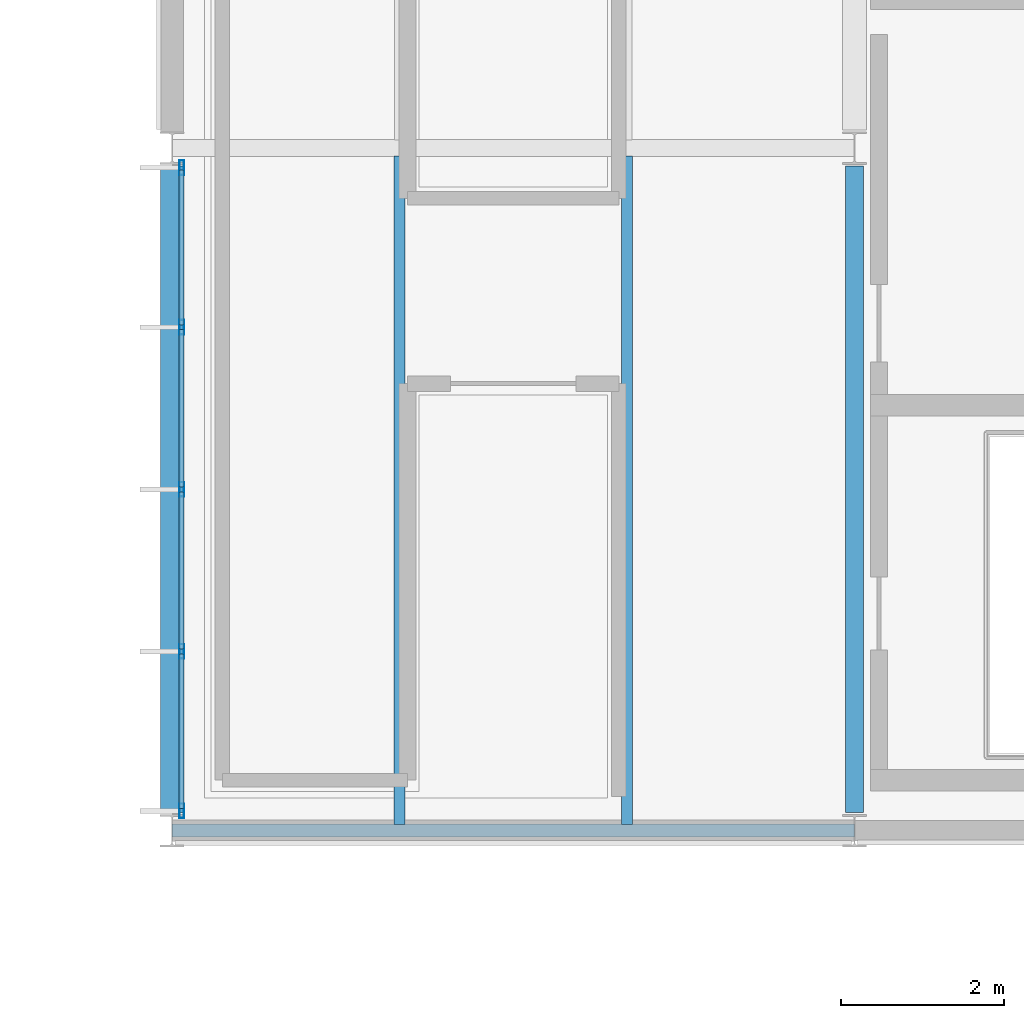
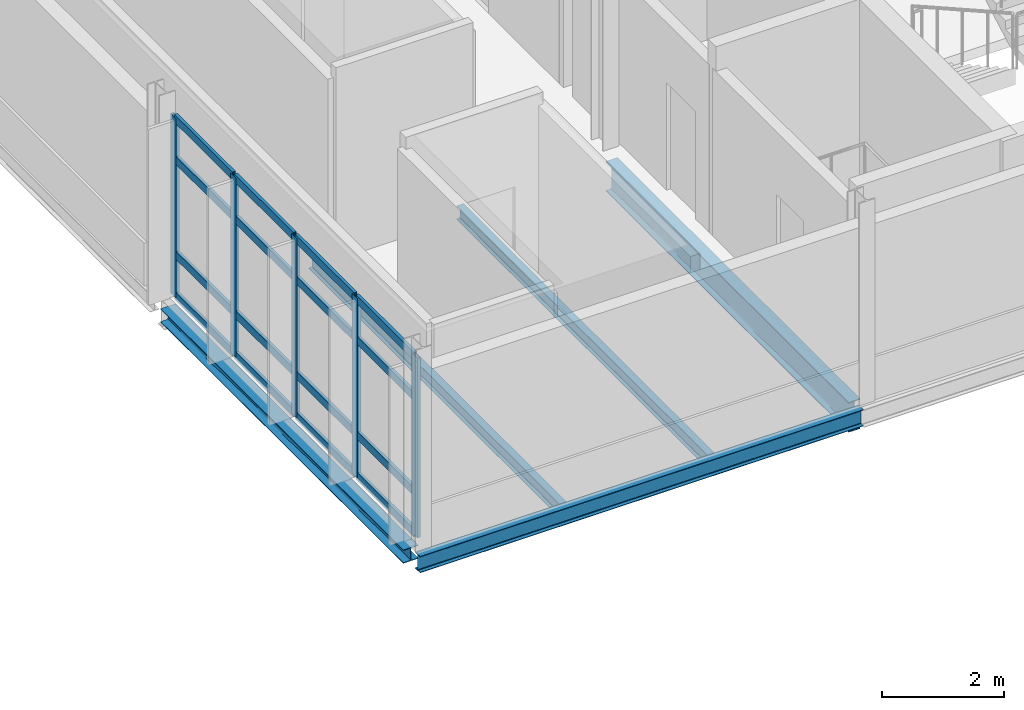
# One storey, part 83 of 131: 21 members, 5 beams, 1 element without a shape of its own.
"""IFC4 building model written with IfcOpenShell, lengths in metres."""

import ifcopenshell
import ifcopenshell.guid

model = None  # the IFC model being written
_history = None  # IfcOwnerHistory: only IFC2X3 demands one
_inside = {}  # id of a spatial element -> (the spatial element, [elements in it])
_under = {}  # id of a project, library or spatial element -> (it, [spatial elements below it])
_declared = {}  # id of a project -> (the project, [libraries it declares])
_typed = {}  # id of a type object -> (the type object, [elements of that type])
_made_of = {}  # id of a material, layer set ... -> (it, [elements and type objects made of it])


def new_model(schema):
    """Start an empty IFC model of exactly this schema.

    Asked for "IFC4X3", IfcOpenShell would pick the latest addendum, in which some entities
    have other attributes; the version numbers below select the first issue.
    IFC2X3 requires an IfcOwnerHistory on every rooted entity: one is made here for all.
    """
    global model, _history
    if schema == "IFC4X3":
        model = ifcopenshell.file(schema_version=(4, 3, 0, 0))
    else:
        model = ifcopenshell.file(schema=schema)
    _inside.clear()
    _under.clear()
    _declared.clear()
    _typed.clear()
    _made_of.clear()
    _history = None
    if model.schema == "IFC2X3":
        org = make("IfcOrganization", Name="unknown")
        user = make(
            "IfcPersonAndOrganization",
            ThePerson=make("IfcPerson", FamilyName="unknown"),
            TheOrganization=org,
        )
        app = make(
            "IfcApplication",
            ApplicationDeveloper=org,
            Version="unknown",
            ApplicationFullName="unknown",
            ApplicationIdentifier="unknown",
        )
        _history = make(
            "IfcOwnerHistory",
            OwningUser=user,
            OwningApplication=app,
            ChangeAction="ADDED",
            CreationDate=0,
        )
    return model


def make(cls, **values):
    """One entity of the class cls with the attributes given. An attribute that is None is left unset."""
    return model.create_entity(
        cls, **{name: value for name, value in values.items() if value is not None}
    )


def rooted(cls, **values):
    """An entity with a GlobalId (a new one), such as an element, a storey or a relation."""
    return make(cls, GlobalId=ifcopenshell.guid.new(), OwnerHistory=_history, **values)


def si_unit(unit_type, name, prefix=None):
    """IfcSIUnit, for example si_unit("LENGTHUNIT", "METRE", prefix="MILLI")."""
    return make("IfcSIUnit", UnitType=unit_type, Prefix=prefix, Name=name)


def assignment(units):
    """IfcUnitAssignment: the units of a project."""
    return None if units is None else make("IfcUnitAssignment", Units=units)


def point(xyz):
    """IfcCartesianPoint."""
    return None if xyz is None else make("IfcCartesianPoint", Coordinates=xyz)


def direction(xyz):
    """IfcDirection."""
    return None if xyz is None else make("IfcDirection", DirectionRatios=xyz)


def frame(location, z_axis=None, x_axis=None):
    """IfcAxis2Placement3D, a coordinate frame: its origin and axes. An axis left out is left unset."""
    return make(
        "IfcAxis2Placement3D",
        Location=point(location),
        Axis=direction(z_axis),
        RefDirection=direction(x_axis),
    )


def frame_2d(location, x_axis=None):
    """IfcAxis2Placement2D, a coordinate frame in the plane: its origin and x axis."""
    return make(
        "IfcAxis2Placement2D", Location=point(location), RefDirection=direction(x_axis)
    )


def origin():
    """The frame at (0, 0, 0) with its axes left unset."""
    return frame((0.0, 0.0, 0.0))


def origin_2d():
    """The frame at (0, 0) in the plane with its x axis left unset."""
    return frame_2d((0.0, 0.0))


def place(relative_to, where):
    """IfcLocalPlacement: puts the frame where relative to a parent placement (None: the world)."""
    return make(
        "IfcLocalPlacement", PlacementRelTo=relative_to, RelativePlacement=where
    )


def context(
    kind, dimensions, precision=None, world=None, true_north=None, identifier=None
):
    """IfcGeometricRepresentationContext, for example the 3D "Model" context."""
    return make(
        "IfcGeometricRepresentationContext",
        ContextIdentifier=identifier,
        ContextType=kind,
        CoordinateSpaceDimension=dimensions,
        Precision=precision,
        WorldCoordinateSystem=world,
        TrueNorth=true_north,
    )


def subcontext(parent, identifier, kind, view, scale=None):
    """IfcGeometricRepresentationSubContext, for example "Body" below "Model"."""
    return make(
        "IfcGeometricRepresentationSubContext",
        ContextIdentifier=identifier,
        ContextType=kind,
        ParentContext=parent,
        TargetScale=scale,
        TargetView=view,
    )


def project(units=None, contexts=None):
    """IfcProject with its units and contexts."""
    return rooted(
        "IfcProject",
        Name="project",
        RepresentationContexts=contexts,
        UnitsInContext=assignment(units),
    )


def spatial(cls, under=None, at=None, **own):
    """A site, building, storey or space (cls), placed at a placement, below another one or the project."""
    s = rooted(cls, ObjectPlacement=at, **own)
    if under is not None:
        _under.setdefault(under.id(), (under, []))[1].append(s)
    return s


def profile(cls, at=None, kind="AREA", **sizes):
    """A parametric profile (cls). Its sizes go by their IFC names, for example OverallWidth=200.0."""
    return make(cls, ProfileType=kind, Position=at, **sizes)


def hollow_rectangle(**sizes):
    """IfcRectangleHollowProfileDef."""
    return profile("IfcRectangleHollowProfileDef", **sizes)


def i_section(**sizes):
    """IfcIShapeProfileDef."""
    return profile("IfcIShapeProfileDef", **sizes)


def extrude(swept, where, along, depth):
    """IfcExtrudedAreaSolid: the profile swept, set in the frame where, extruded along a direction by depth."""
    return make(
        "IfcExtrudedAreaSolid",
        SweptArea=swept,
        Position=where,
        ExtrudedDirection=direction(along),
        Depth=depth,
    )


def shape(context_of_items, identifier, shape_type, items):
    """IfcShapeRepresentation: the items that make up one representation, for example the "Body"."""
    return make(
        "IfcShapeRepresentation",
        ContextOfItems=context_of_items,
        RepresentationIdentifier=identifier,
        RepresentationType=shape_type,
        Items=items,
    )


def material(Name=None, Category=None):
    """IfcMaterial."""
    return make("IfcMaterial", Name=Name, Category=Category)


def material_profile(
    of_material, cross_section, Name=None, Category=None, Priority=None
):
    """IfcMaterialProfile: a cross section and its material."""
    return make(
        "IfcMaterialProfile",
        Name=Name,
        Material=of_material,
        Profile=cross_section,
        Priority=Priority,
        Category=Category,
    )


def profile_set(profiles, Name=None, composite=None):
    """IfcMaterialProfileSet."""
    return make(
        "IfcMaterialProfileSet",
        Name=Name,
        MaterialProfiles=profiles,
        CompositeProfile=composite,
    )


def made_of(thing, what):
    """Note that an element or type object is made of a material, layer set ...; save() writes the relation."""
    if what is not None:
        _made_of.setdefault(what.id(), (what, []))[1].append(thing)
    return thing


def type_object(cls, material=None, **own):
    """A type object (cls), such as IfcWallType, which elements share."""
    return made_of(rooted(cls, **own), material)


def element(
    cls,
    number,
    at=None,
    inside=None,
    cuts=None,
    type_object=None,
    material=None,
    context=None,
    identifier="Body",
    shape_type=None,
    held_by="IfcProductDefinitionShape",
    body=None,
    shapes=None,
    **own,
):
    """One element of the class cls, such as IfcWall. Its Tag is "e" and its number.

    at: its placement. inside: the storey or other place that contains it. cuts: it is an
    opening in that element (IfcRelVoidsElement). A single representation is given by context,
    identifier, shape_type and body (its items); several are given by shapes. held_by: the class
    of the entity that holds the representations. save() writes the other relations.
    """
    e = rooted(cls, Tag="e%d" % number, ObjectPlacement=at, **own)
    if body is not None:
        shapes = [shape(context, identifier, shape_type, body)]
    if shapes is not None:
        e.Representation = make(held_by, Representations=shapes)
    if inside is not None:
        _inside.setdefault(inside.id(), (inside, []))[1].append(e)
    if cuts is not None:
        rooted(
            "IfcRelVoidsElement", RelatingBuildingElement=cuts, RelatedOpeningElement=e
        )
    if type_object is not None:
        _typed.setdefault(type_object.id(), (type_object, []))[1].append(e)
    return made_of(e, material)


def aggregate(whole, parts):
    """IfcRelAggregates: a whole, such as a stair, and the parts it consists of."""
    return rooted("IfcRelAggregates", RelatingObject=whole, RelatedObjects=parts)


def save(model, path):
    """Write the relations noted so far, then the file.

    IfcRelAggregates (storeys below a building ...), IfcRelContainedInSpatialStructure (elements
    in a storey), IfcRelDefinesByType, IfcRelAssociatesMaterial and IfcRelDeclares: one each for
    every whole, place, type object, material and project.
    """
    for whole, parts in _under.values():
        aggregate(whole, parts)
    for where, things in _inside.values():
        rooted(
            "IfcRelContainedInSpatialStructure",
            RelatedElements=things,
            RelatingStructure=where,
        )
    for kind, things in _typed.values():
        rooted("IfcRelDefinesByType", RelatedObjects=things, RelatingType=kind)
    for what, things in _made_of.values():
        rooted("IfcRelAssociatesMaterial", RelatedObjects=things, RelatingMaterial=what)
    for by, libraries in _declared.values():
        rooted("IfcRelDeclares", RelatingContext=by, RelatedDefinitions=libraries)
    model.write(path)


model = new_model("IFC4")

# Units and contexts
model_context = context("Model", 3, precision=1e-05, world=origin(), true_north=direction((0.0, 1.0)))
body_context = subcontext(model_context, "Body", "Model", "MODEL_VIEW")
ifc_project = project(units=[si_unit("LENGTHUNIT", "METRE"), si_unit("AREAUNIT", "SQUARE_METRE"), si_unit("VOLUMEUNIT", "CUBIC_METRE"), si_unit("PLANEANGLEUNIT", "RADIAN"), si_unit("MASSUNIT", "GRAM", prefix="KILO")], contexts=[model_context])

# Site, building, storey
site_placement = place(None, origin())
site = spatial("IfcSite", under=ifc_project, at=site_placement, CompositionType="ELEMENT")
building_placement = place(site_placement, origin())
building = spatial("IfcBuilding", under=site, at=building_placement, Name="Mersafa Astral City Hall", CompositionType="ELEMENT")
storey_placement = place(building_placement, frame((0.0, 0.0, 13.949951171875)))
storey = spatial("IfcBuildingStorey", under=building, at=storey_placement, Name="L03", CompositionType="ELEMENT", Elevation=13.949951171875)

# Curtain wall, members
ifc_material_1 = material(Name="Anodised bronze aluminium framing", Category="aluminium")
curtain_wall_type = type_object("IfcCurtainWallType", Name="ENV-CW-3", PredefinedType="USERDEFINED", material=ifc_material_1)
curtain_wall_placement = place(storey_placement, origin())
curtain_wall = element("IfcCurtainWall", 1, at=curtain_wall_placement, inside=storey, type_object=curtain_wall_type, Name="L03 Unitised solar curtain wall 164", ObjectType="UNITISED CURTAIN WALL", PredefinedType="USERDEFINED")
ifc_material_profile_1 = material_profile(ifc_material_1, hollow_rectangle(XDim=0.06005859375, YDim=0.179931640625, WallThickness=0.00390625, at=origin_2d()), Name="RHS 60x180x4")
ifc_profile_set_1 = profile_set([ifc_material_profile_1], Name="Anodised bronze aluminium framing")
member_type_1 = type_object("IfcMemberType", Name="ENV-CW-MUL-1", PredefinedType="MULLION", material=ifc_profile_set_1)
member_1_placement = place(storey_placement, frame((159.719970703125, 58.55810546875, -0.001953125), z_axis=(0.0, 0.0, 1.0), x_axis=(1.0, 0.0, 0.0)))
member_1 = element("IfcMember", 2, at=member_1_placement, type_object=member_type_1, Name="CW-3 mullion 1", PredefinedType="MULLION", context=body_context, shape_type="SweptSolid", body=[
    extrude(hollow_rectangle(XDim=0.06005859375, YDim=0.179931640625, WallThickness=0.00390625, at=origin_2d()), origin(), (0.0, 0.0, 1.0), 3.593994140625),
])
member_2_placement = place(storey_placement, frame((159.719970703125, 56.593994140625, -0.001953125), z_axis=(0.0, 0.0, 1.0), x_axis=(1.0, 0.0, 0.0)))
member_2 = element("IfcMember", 3, at=member_2_placement, type_object=member_type_1, Name="CW-3 mullion 2", PredefinedType="MULLION", context=body_context, shape_type="SweptSolid", body=[
    extrude(hollow_rectangle(XDim=0.06005859375, YDim=0.179931640625, WallThickness=0.00390625, at=origin_2d()), origin(), (0.0, 0.0, 1.0), 3.593994140625),
])
member_3_placement = place(storey_placement, frame((159.719970703125, 54.60009765625, -0.001953125), z_axis=(0.0, 0.0, 1.0), x_axis=(1.0, 0.0, 0.0)))
member_3 = element("IfcMember", 4, at=member_3_placement, type_object=member_type_1, Name="CW-3 mullion 3", PredefinedType="MULLION", context=body_context, shape_type="SweptSolid", body=[
    extrude(hollow_rectangle(XDim=0.06005859375, YDim=0.179931640625, WallThickness=0.00390625, at=origin_2d()), origin(), (0.0, 0.0, 1.0), 3.593994140625),
])
member_4_placement = place(storey_placement, frame((159.719970703125, 52.60595703125, -0.001953125), z_axis=(0.0, 0.0, 1.0), x_axis=(1.0, 0.0, 0.0)))
member_4 = element("IfcMember", 5, at=member_4_placement, type_object=member_type_1, Name="CW-3 mullion 4", PredefinedType="MULLION", context=body_context, shape_type="SweptSolid", body=[
    extrude(hollow_rectangle(XDim=0.06005859375, YDim=0.179931640625, WallThickness=0.00390625, at=origin_2d()), origin(), (0.0, 0.0, 1.0), 3.593994140625),
])
member_5_placement = place(storey_placement, frame((159.719970703125, 50.64208984375, -0.001953125), z_axis=(0.0, 0.0, 1.0), x_axis=(1.0, 0.0, 0.0)))
member_5 = element("IfcMember", 6, at=member_5_placement, type_object=member_type_1, Name="CW-3 mullion 5", PredefinedType="MULLION", context=body_context, shape_type="SweptSolid", body=[
    extrude(hollow_rectangle(XDim=0.06005859375, YDim=0.179931640625, WallThickness=0.00390625, at=origin_2d()), origin(), (0.0, 0.0, 1.0), 3.593994140625),
])
ifc_material_profile_2 = material_profile(ifc_material_1, hollow_rectangle(XDim=0.06005859375, YDim=0.159912109375, WallThickness=0.00390625, at=origin_2d()), Name="RHS 60x160x4")
ifc_profile_set_2 = profile_set([ifc_material_profile_2], Name="Anodised bronze aluminium framing")
member_type_2 = type_object("IfcMemberType", Name="ENV-CW-TRN-2", PredefinedType="USERDEFINED", material=ifc_profile_set_2)
member_6_placement = place(storey_placement, frame((159.719970703125, 58.528076171875, 0.028076171875), z_axis=(0.0, -1.0, 0.0), x_axis=(1.0, 0.0, 0.0)))
member_6 = element("IfcMember", 7, at=member_6_placement, type_object=member_type_2, Name="CW-3 transom 1.1", ObjectType="TRANSOM", PredefinedType="USERDEFINED", context=body_context, shape_type="SweptSolid", body=[
    extrude(hollow_rectangle(XDim=0.06005859375, YDim=0.159912109375, WallThickness=0.00390625, at=origin_2d()), origin(), (0.0, 0.0, 1.0), 1.904052734375),
])
member_7_placement = place(storey_placement, frame((159.719970703125, 58.528076171875, 0.85009765625), z_axis=(0.0, -1.0, 0.0), x_axis=(1.0, 0.0, 0.0)))
member_7 = element("IfcMember", 8, at=member_7_placement, type_object=member_type_2, Name="CW-3 transom 1.2", ObjectType="TRANSOM", PredefinedType="USERDEFINED", context=body_context, shape_type="SweptSolid", body=[
    extrude(hollow_rectangle(XDim=0.06005859375, YDim=0.159912109375, WallThickness=0.00390625, at=origin_2d()), origin(), (0.0, 0.0, 1.0), 1.904052734375),
])
member_8_placement = place(storey_placement, frame((159.719970703125, 58.528076171875, 2.75), z_axis=(0.0, -1.0, 0.0), x_axis=(1.0, 0.0, 0.0)))
member_8 = element("IfcMember", 9, at=member_8_placement, type_object=member_type_2, Name="CW-3 transom 1.3", ObjectType="TRANSOM", PredefinedType="USERDEFINED", context=body_context, shape_type="SweptSolid", body=[
    extrude(hollow_rectangle(XDim=0.06005859375, YDim=0.159912109375, WallThickness=0.00390625, at=origin_2d()), origin(), (0.0, 0.0, 1.0), 1.904052734375),
])
member_9_placement = place(storey_placement, frame((159.719970703125, 58.528076171875, 3.56201171875), z_axis=(0.0, -1.0, 0.0), x_axis=(1.0, 0.0, 0.0)))
member_9 = element("IfcMember", 10, at=member_9_placement, type_object=member_type_2, Name="CW-3 transom 1.4", ObjectType="TRANSOM", PredefinedType="USERDEFINED", context=body_context, shape_type="SweptSolid", body=[
    extrude(hollow_rectangle(XDim=0.06005859375, YDim=0.159912109375, WallThickness=0.00390625, at=origin_2d()), origin(), (0.0, 0.0, 1.0), 1.904052734375),
])
member_10_placement = place(storey_placement, frame((159.719970703125, 56.56396484375, 0.028076171875), z_axis=(0.0, -1.0, 0.0), x_axis=(1.0, 0.0, 0.0)))
member_10 = element("IfcMember", 11, at=member_10_placement, type_object=member_type_2, Name="CW-3 transom 2.1", ObjectType="TRANSOM", PredefinedType="USERDEFINED", context=body_context, shape_type="SweptSolid", body=[
    extrude(hollow_rectangle(XDim=0.06005859375, YDim=0.159912109375, WallThickness=0.00390625, at=origin_2d()), origin(), (0.0, 0.0, 1.0), 1.93408203125),
])
member_11_placement = place(storey_placement, frame((159.719970703125, 56.56396484375, 0.85009765625), z_axis=(0.0, -1.0, 0.0), x_axis=(1.0, 0.0, 0.0)))
member_11 = element("IfcMember", 12, at=member_11_placement, type_object=member_type_2, Name="CW-3 transom 2.2", ObjectType="TRANSOM", PredefinedType="USERDEFINED", context=body_context, shape_type="SweptSolid", body=[
    extrude(hollow_rectangle(XDim=0.06005859375, YDim=0.159912109375, WallThickness=0.00390625, at=origin_2d()), origin(), (0.0, 0.0, 1.0), 1.93408203125),
])
member_12_placement = place(storey_placement, frame((159.719970703125, 56.56396484375, 2.75), z_axis=(0.0, -1.0, 0.0), x_axis=(1.0, 0.0, 0.0)))
member_12 = element("IfcMember", 13, at=member_12_placement, type_object=member_type_2, Name="CW-3 transom 2.3", ObjectType="TRANSOM", PredefinedType="USERDEFINED", context=body_context, shape_type="SweptSolid", body=[
    extrude(hollow_rectangle(XDim=0.06005859375, YDim=0.159912109375, WallThickness=0.00390625, at=origin_2d()), origin(), (0.0, 0.0, 1.0), 1.93408203125),
])
member_13_placement = place(storey_placement, frame((159.719970703125, 56.56396484375, 3.56201171875), z_axis=(0.0, -1.0, 0.0), x_axis=(1.0, 0.0, 0.0)))
member_13 = element("IfcMember", 14, at=member_13_placement, type_object=member_type_2, Name="CW-3 transom 2.4", ObjectType="TRANSOM", PredefinedType="USERDEFINED", context=body_context, shape_type="SweptSolid", body=[
    extrude(hollow_rectangle(XDim=0.06005859375, YDim=0.159912109375, WallThickness=0.00390625, at=origin_2d()), origin(), (0.0, 0.0, 1.0), 1.93408203125),
])
member_14_placement = place(storey_placement, frame((159.719970703125, 54.570068359375, 0.028076171875), z_axis=(0.0, -1.0, 0.0), x_axis=(1.0, 0.0, 0.0)))
member_14 = element("IfcMember", 15, at=member_14_placement, type_object=member_type_2, Name="CW-3 transom 3.1", ObjectType="TRANSOM", PredefinedType="USERDEFINED", context=body_context, shape_type="SweptSolid", body=[
    extrude(hollow_rectangle(XDim=0.06005859375, YDim=0.159912109375, WallThickness=0.00390625, at=origin_2d()), origin(), (0.0, 0.0, 1.0), 1.93408203125),
])
member_15_placement = place(storey_placement, frame((159.719970703125, 54.570068359375, 0.85009765625), z_axis=(0.0, -1.0, 0.0), x_axis=(1.0, 0.0, 0.0)))
member_15 = element("IfcMember", 16, at=member_15_placement, type_object=member_type_2, Name="CW-3 transom 3.2", ObjectType="TRANSOM", PredefinedType="USERDEFINED", context=body_context, shape_type="SweptSolid", body=[
    extrude(hollow_rectangle(XDim=0.06005859375, YDim=0.159912109375, WallThickness=0.00390625, at=origin_2d()), origin(), (0.0, 0.0, 1.0), 1.93408203125),
])
member_16_placement = place(storey_placement, frame((159.719970703125, 54.570068359375, 2.75), z_axis=(0.0, -1.0, 0.0), x_axis=(1.0, 0.0, 0.0)))
member_16 = element("IfcMember", 17, at=member_16_placement, type_object=member_type_2, Name="CW-3 transom 3.3", ObjectType="TRANSOM", PredefinedType="USERDEFINED", context=body_context, shape_type="SweptSolid", body=[
    extrude(hollow_rectangle(XDim=0.06005859375, YDim=0.159912109375, WallThickness=0.00390625, at=origin_2d()), origin(), (0.0, 0.0, 1.0), 1.93408203125),
])
member_17_placement = place(storey_placement, frame((159.719970703125, 54.570068359375, 3.56201171875), z_axis=(0.0, -1.0, 0.0), x_axis=(1.0, 0.0, 0.0)))
member_17 = element("IfcMember", 18, at=member_17_placement, type_object=member_type_2, Name="CW-3 transom 3.4", ObjectType="TRANSOM", PredefinedType="USERDEFINED", context=body_context, shape_type="SweptSolid", body=[
    extrude(hollow_rectangle(XDim=0.06005859375, YDim=0.159912109375, WallThickness=0.00390625, at=origin_2d()), origin(), (0.0, 0.0, 1.0), 1.93408203125),
])
member_18_placement = place(storey_placement, frame((159.719970703125, 52.575927734375, 0.028076171875), z_axis=(0.0, -1.0, 0.0), x_axis=(1.0, 0.0, 0.0)))
member_18 = element("IfcMember", 19, at=member_18_placement, type_object=member_type_2, Name="CW-3 transom 4.1", ObjectType="TRANSOM", PredefinedType="USERDEFINED", context=body_context, shape_type="SweptSolid", body=[
    extrude(hollow_rectangle(XDim=0.06005859375, YDim=0.159912109375, WallThickness=0.00390625, at=origin_2d()), origin(), (0.0, 0.0, 1.0), 1.90380859375),
])
member_19_placement = place(storey_placement, frame((159.719970703125, 52.575927734375, 0.85009765625), z_axis=(0.0, -1.0, 0.0), x_axis=(1.0, 0.0, 0.0)))
member_19 = element("IfcMember", 20, at=member_19_placement, type_object=member_type_2, Name="CW-3 transom 4.2", ObjectType="TRANSOM", PredefinedType="USERDEFINED", context=body_context, shape_type="SweptSolid", body=[
    extrude(hollow_rectangle(XDim=0.06005859375, YDim=0.159912109375, WallThickness=0.00390625, at=origin_2d()), origin(), (0.0, 0.0, 1.0), 1.90380859375),
])
member_20_placement = place(storey_placement, frame((159.719970703125, 52.575927734375, 2.75), z_axis=(0.0, -1.0, 0.0), x_axis=(1.0, 0.0, 0.0)))
member_20 = element("IfcMember", 21, at=member_20_placement, type_object=member_type_2, Name="CW-3 transom 4.3", ObjectType="TRANSOM", PredefinedType="USERDEFINED", context=body_context, shape_type="SweptSolid", body=[
    extrude(hollow_rectangle(XDim=0.06005859375, YDim=0.159912109375, WallThickness=0.00390625, at=origin_2d()), origin(), (0.0, 0.0, 1.0), 1.90380859375),
])
member_21_placement = place(storey_placement, frame((159.719970703125, 52.575927734375, 3.56201171875), z_axis=(0.0, -1.0, 0.0), x_axis=(1.0, 0.0, 0.0)))
member_21 = element("IfcMember", 22, at=member_21_placement, type_object=member_type_2, Name="CW-3 transom 4.4", ObjectType="TRANSOM", PredefinedType="USERDEFINED", context=body_context, shape_type="SweptSolid", body=[
    extrude(hollow_rectangle(XDim=0.06005859375, YDim=0.159912109375, WallThickness=0.00390625, at=origin_2d()), origin(), (0.0, 0.0, 1.0), 1.90380859375),
])
aggregate(curtain_wall, [member_1, member_2, member_3, member_4, member_5, member_6, member_7, member_8, member_9, member_10, member_11, member_12, member_13, member_14, member_15, member_16, member_17, member_18, member_19, member_20, member_21])

# Beams
ifc_material_2 = material(Name="Steel S355", Category="steel")
ifc_material_profile_3 = material_profile(ifc_material_2, i_section(OverallWidth=0.219970703125, OverallDepth=0.60009765625, WebThickness=0.011962890625, FlangeThickness=0.01904296875, FilletRadius=0.02392578125, at=origin_2d()), Name="IPE 600")
ifc_profile_set_3 = profile_set([ifc_material_profile_3], Name="Steel S355")
beam_type_1 = type_object("IfcBeamType", Name="STR-BM-IPE600", PredefinedType="BEAM", material=ifc_profile_set_3)
beam_1_placement = place(storey_placement, frame((168.0, 50.6201171875, -0.5), z_axis=(0.0, 1.0, 0.0), x_axis=(-1.0, 0.0, 0.0)))
element("IfcBeam", 23, at=beam_1_placement, inside=storey, type_object=beam_type_1, Name="L03 Primary girder Y 20-6", PredefinedType="BEAM", context=body_context, shape_type="SweptSolid", body=[
    extrude(i_section(OverallWidth=0.219970703125, OverallDepth=0.60009765625, WebThickness=0.011962890625, FlangeThickness=0.01904296875, FilletRadius=0.02392578125, at=origin_2d()), origin(), (0.0, 0.0, 1.0), 7.9599609375),
])
ifc_material_profile_4 = material_profile(ifc_material_2, i_section(OverallWidth=0.135009765625, OverallDepth=0.27001953125, WebThickness=0.006591796875, FlangeThickness=0.01025390625, FilletRadius=0.014892578125, at=origin_2d()), Name="IPE 270")
ifc_profile_set_4 = profile_set([ifc_material_profile_4], Name="Steel S355")
beam_type_2 = type_object("IfcBeamType", Name="STR-BM-JOIST-IPE270", PredefinedType="JOIST", material=ifc_profile_set_4)
for number, where, z_axis, x_axis, name in (
    (24, (162.39990234375, 50.47509765625, -0.3349609375), (0.0, 1.0, 0.0), (-1.0, 0.0, 0.0), "L03 Composite secondary floor joist 652"),
    (25, (165.199951171875, 50.47509765625, -0.3349609375), (0.0, 1.0, 0.0), (-1.0, 0.0, 0.0), "L03 Composite secondary floor joist 653"),
):
    element("IfcBeam", number, at=place(storey_placement, frame(where, z_axis=z_axis, x_axis=x_axis)), inside=storey, type_object=beam_type_2, Name=name, PredefinedType="JOIST", context=body_context, shape_type="SweptSolid", body=[
        extrude(i_section(OverallWidth=0.135009765625, OverallDepth=0.27001953125, WebThickness=0.006591796875, FlangeThickness=0.01025390625, FilletRadius=0.014892578125, at=origin_2d()), origin(), (0.0, 0.0, 1.0), 8.224853515625),
    ])
ifc_material_profile_5 = material_profile(ifc_material_2, i_section(OverallWidth=0.280029296875, OverallDepth=0.27001953125, WebThickness=0.008056640625, FlangeThickness=0.012939453125, FilletRadius=0.02392578125, at=origin_2d()), Name="HEA 280")
ifc_profile_set_5 = profile_set([ifc_material_profile_5], Name="Steel S355")
beam_type_3 = type_object("IfcBeamType", Name="STR-BM-SPANDREL-HEA280", PredefinedType="SPANDREL", material=ifc_profile_set_5)
beam_2_placement = place(storey_placement, frame((159.60009765625, 50.6201171875, -0.3349609375), z_axis=(0.0, 1.0, 0.0), x_axis=(-1.0, 0.0, 0.0)))
element("IfcBeam", 26, at=beam_2_placement, inside=storey, type_object=beam_type_3, Name="L03 Primary girder Y 19-6", PredefinedType="SPANDREL", context=body_context, shape_type="SweptSolid", body=[
    extrude(i_section(OverallWidth=0.280029296875, OverallDepth=0.27001953125, WebThickness=0.008056640625, FlangeThickness=0.012939453125, FilletRadius=0.02392578125, at=origin_2d()), origin(), (0.0, 0.0, 1.0), 7.9599609375),
])
ifc_material_profile_6 = material_profile(ifc_material_2, i_section(OverallWidth=0.159912109375, OverallDepth=0.330078125, WebThickness=0.007568359375, FlangeThickness=0.011474609375, FilletRadius=0.01806640625, at=origin_2d()), Name="IPE 330")
ifc_profile_set_6 = profile_set([ifc_material_profile_6], Name="Steel S355")
beam_type_4 = type_object("IfcBeamType", Name="STR-BM-SPANDREL-IPE330", PredefinedType="SPANDREL", material=ifc_profile_set_6)
beam_3_placement = place(storey_placement, frame((159.60302734375, 50.39990234375, -0.364990234375), z_axis=(1.0, 0.0, 0.0), x_axis=(0.0, 1.0, 0.0)))
element("IfcBeam", 27, at=beam_3_placement, inside=storey, type_object=beam_type_4, Name="L03 Primary girder X 19-6", PredefinedType="SPANDREL", context=body_context, shape_type="SweptSolid", body=[
    extrude(i_section(OverallWidth=0.159912109375, OverallDepth=0.330078125, WebThickness=0.007568359375, FlangeThickness=0.011474609375, FilletRadius=0.01806640625, at=origin_2d()), origin(), (0.0, 0.0, 1.0), 8.39404296875),
])

save(model, "model.ifc")
